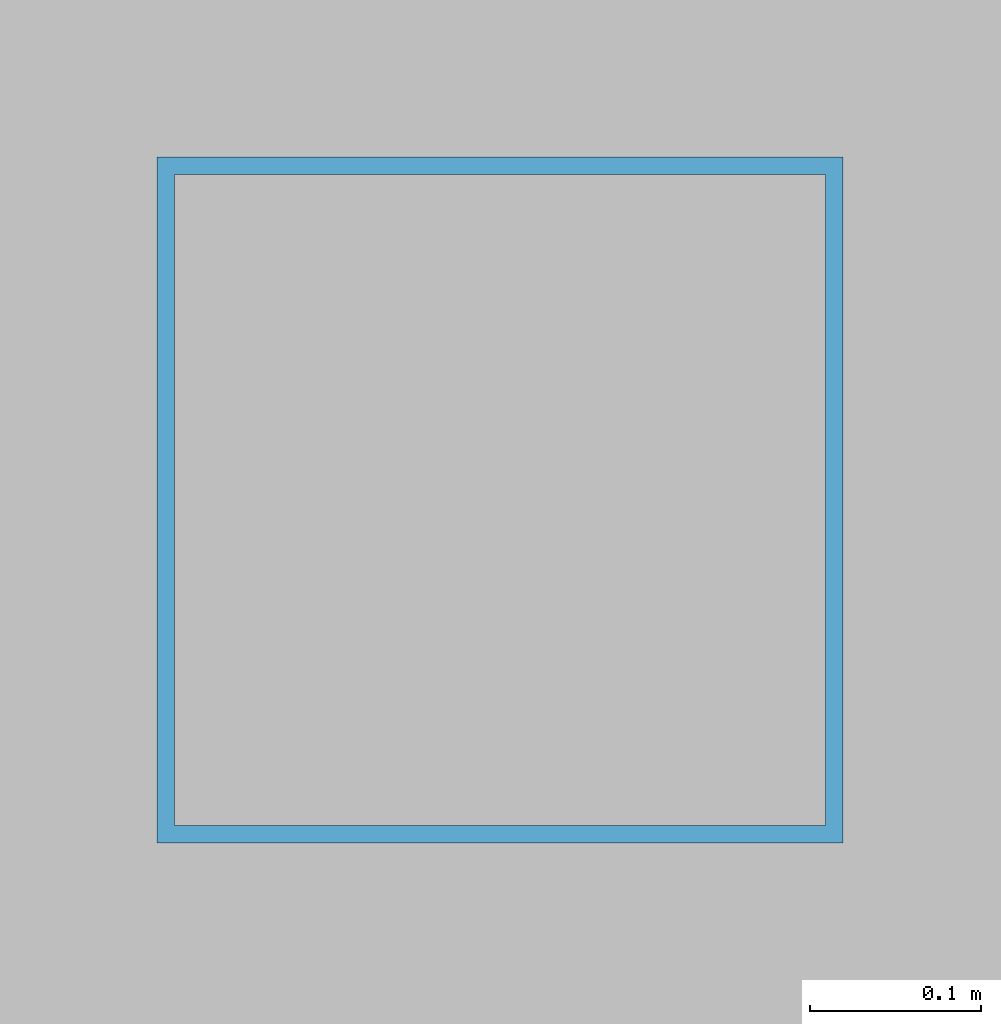
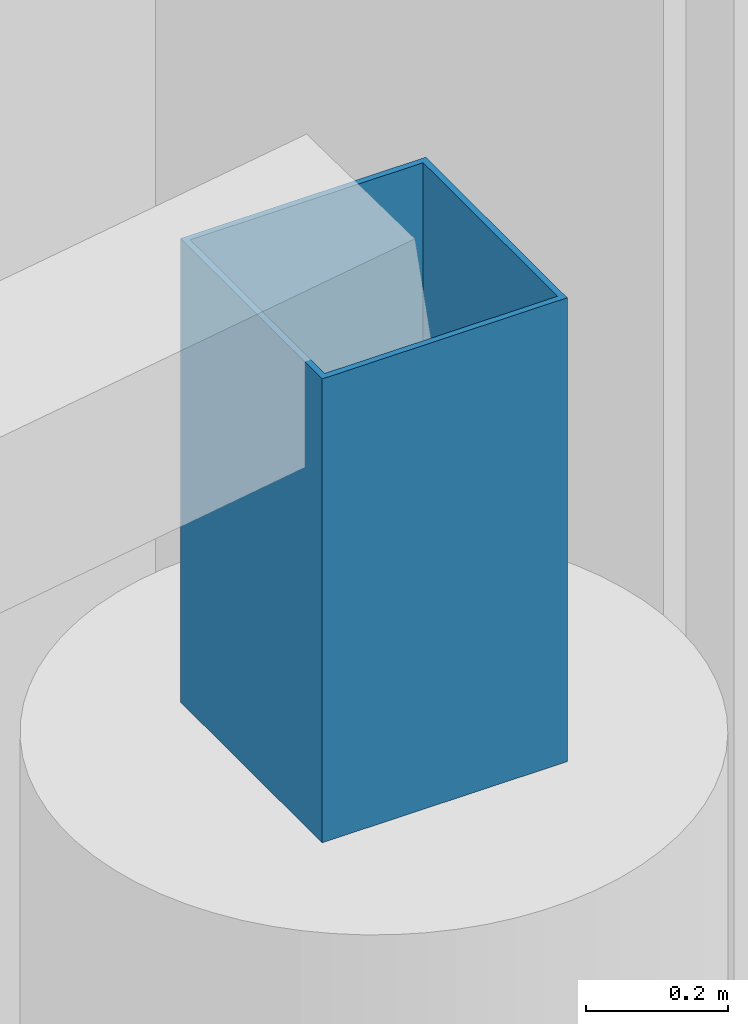
# One storey, part 216 of 344: 1 member.
"""IFC4 building model written with IfcOpenShell, lengths in metres."""

from ifc_helpers import new_model, si_unit, direction, frame, origin, origin_2d, place, context, subcontext, project, spatial, hollow_rectangle, extrude, material, material_profile, profile_set, type_object, element, save


model = new_model("IFC4")

# Units and contexts
model_context = context("Model", 3, precision=1e-05, world=origin(), true_north=direction((0.0, 1.0)))
body_context = subcontext(model_context, "Body", "Model", "MODEL_VIEW")
ifc_project = project(units=[si_unit("LENGTHUNIT", "METRE"), si_unit("AREAUNIT", "SQUARE_METRE"), si_unit("VOLUMEUNIT", "CUBIC_METRE"), si_unit("PLANEANGLEUNIT", "RADIAN"), si_unit("MASSUNIT", "GRAM", prefix="KILO")], contexts=[model_context])

# Site, building, storey
site_placement = place(None, origin())
site = spatial("IfcSite", under=ifc_project, at=site_placement, CompositionType="ELEMENT")
building_placement = place(site_placement, origin())
building = spatial("IfcBuilding", under=site, at=building_placement, Name="Meseta Stadium", CompositionType="ELEMENT")
storey_placement = place(building_placement, frame((0.0, 0.0, 24.0)))
storey = spatial("IfcBuildingStorey", under=building, at=storey_placement, Name="L04", CompositionType="ELEMENT", Elevation=24.0)

# Member
ifc_material = material(Name="Steel S355", Category="steel")
ifc_material_profile = material_profile(ifc_material, hollow_rectangle(XDim=0.39990234375, YDim=0.39990234375, WallThickness=0.010009765625, at=origin_2d()), Name="SHS 400x400x10")
ifc_profile_set = profile_set([ifc_material_profile], Name="Steel S355")
member_type = type_object("IfcMemberType", Name="SHS 400x400x10 pedestal", PredefinedType="POST", material=ifc_profile_set)
member_placement = place(storey_placement, frame((84.9970703125, 6.13720703125, 6.0), z_axis=(0.0, 0.0, 1.0), x_axis=(1.0, 0.0, 0.0)))
element("IfcMember", 1, at=member_placement, inside=storey, type_object=member_type, Name="ROOF TRUSS RT-05 pedestal", PredefinedType="POST", context=body_context, shape_type="SweptSolid", body=[
    extrude(hollow_rectangle(XDim=0.39990234375, YDim=0.39990234375, WallThickness=0.010009765625, at=origin_2d()), origin(), (0.0, 0.0, 1.0), 0.800048828125),
])

save(model, "model.ifc")
